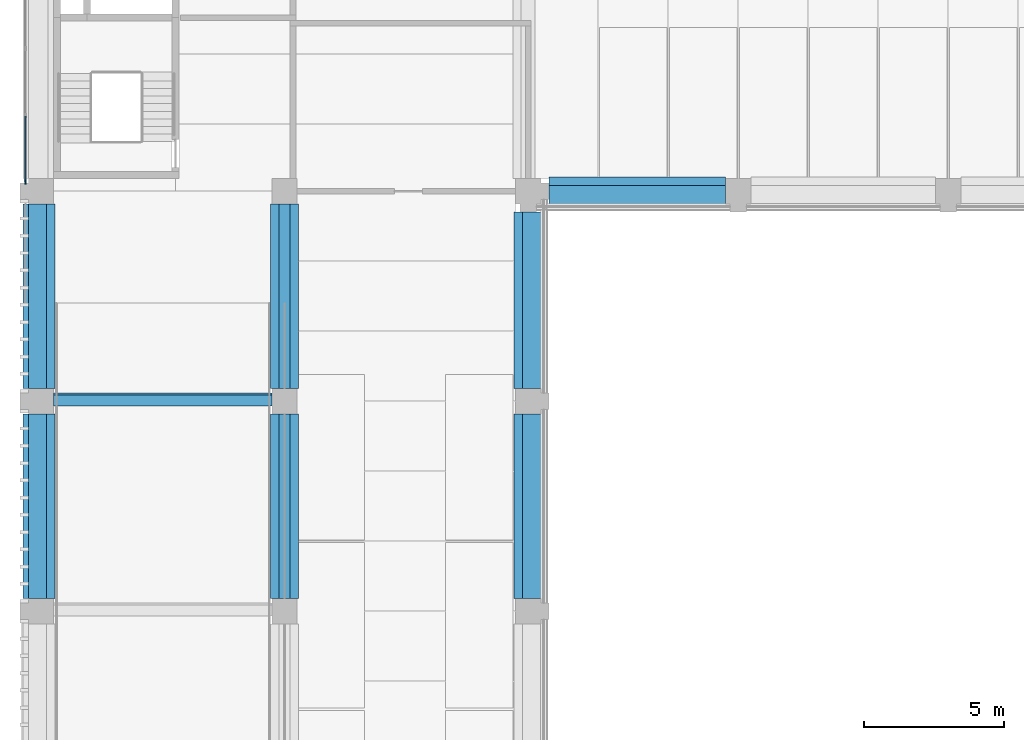
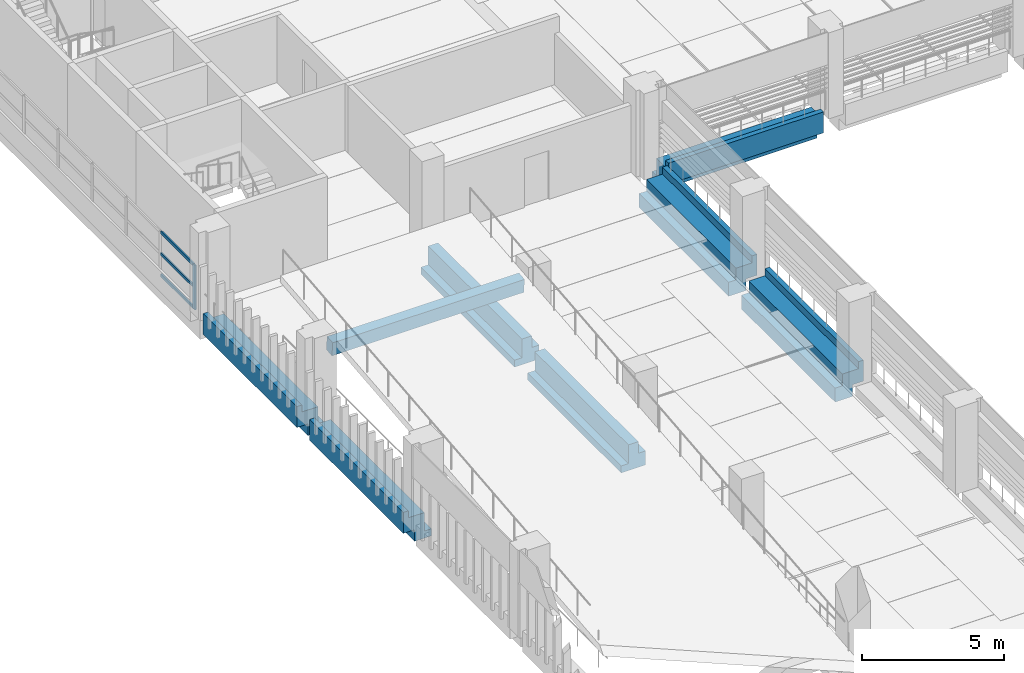
# One storey, part 3 of 57: 8 beams, 4 members, 1 element without a shape of its own.
"""IFC4 building model written with IfcOpenShell, lengths in metres."""

from ifc_helpers import new_model, si_unit, direction, frame, origin, origin_2d, place, context, subcontext, project, spatial, polyline, rectangle, outline, extrude, material, layer, layer_set, material_profile, profile_set, type_object, element, aggregate, save


model = new_model("IFC4")

# Units and contexts
model_context = context("Model", 3, precision=1e-05, world=origin(), true_north=direction((0.0, 1.0)))
body_context = subcontext(model_context, "Body", "Model", "MODEL_VIEW")
ifc_project = project(units=[si_unit("LENGTHUNIT", "METRE"), si_unit("AREAUNIT", "SQUARE_METRE"), si_unit("VOLUMEUNIT", "CUBIC_METRE"), si_unit("PLANEANGLEUNIT", "RADIAN"), si_unit("MASSUNIT", "GRAM", prefix="KILO")], contexts=[model_context])

# Site, building, storey
site_placement = place(None, origin())
site = spatial("IfcSite", under=ifc_project, at=site_placement, CompositionType="ELEMENT")
building_placement = place(site_placement, origin())
building = spatial("IfcBuilding", under=site, at=building_placement, Name="Cour d'Honneur Mobility Palace", CompositionType="ELEMENT")
storey_placement = place(building_placement, frame((0.0, 0.0, 8.199951171875)))
storey = spatial("IfcBuildingStorey", under=building, at=storey_placement, Name="L02", CompositionType="ELEMENT", Elevation=8.199951171875)

# Curtain wall, members
ifc_material_1 = material(Name="Aluminium and glass", Category="aluminium")
ifc_layer = layer(ifc_material_1, 0.10009765625)
ifc_layer_set = layer_set([ifc_layer], Name="Aluminium and glass")
curtain_wall_type = type_object("IfcCurtainWallType", Name="Curtain wall run", PredefinedType="NOTDEFINED", material=ifc_layer_set)
curtain_wall_placement = place(storey_placement, origin())
curtain_wall = element("IfcCurtainWall", 1, at=curtain_wall_placement, inside=storey, type_object=curtain_wall_type, Name="Curtain wall CW-101", PredefinedType="NOTDEFINED")
ifc_material_2 = material(Name="Aluminium", Category="aluminium")
ifc_material_profile_1 = material_profile(ifc_material_2, rectangle(XDim=0.06005859375, YDim=0.159912109375, at=origin_2d()), Name="Curtain wall mullion")
ifc_profile_set_1 = profile_set([ifc_material_profile_1], Name="Aluminium")
member_type_1 = type_object("IfcMemberType", Name="Curtain wall mullion", PredefinedType="MULLION", material=ifc_profile_set_1)
member_1_placement = place(storey_placement, frame((-0.550048828125, 45.330078125, 0.0), z_axis=(0.0, 0.0, 1.0), x_axis=(1.0, 0.0, 0.0)))
member_1 = element("IfcMember", 2, at=member_1_placement, type_object=member_type_1, Name="CW-101 mullion 8", PredefinedType="MULLION", context=body_context, shape_type="SweptSolid", body=[
    extrude(rectangle(XDim=0.06005859375, YDim=0.159912109375, at=origin_2d()), origin(), (0.0, 0.0, 1.0), 1.900146484375),
])
ifc_material_3 = material(Name="Aluminium", Category="aluminium")
ifc_material_profile_2 = material_profile(ifc_material_3, rectangle(XDim=0.06005859375, YDim=0.1201171875, at=origin_2d()), Name="Curtain wall transom")
ifc_profile_set_2 = profile_set([ifc_material_profile_2], Name="Aluminium")
member_type_2 = type_object("IfcMemberType", Name="Curtain wall transom", PredefinedType="USERDEFINED", material=ifc_profile_set_2)
member_2_placement = place(storey_placement, frame((-0.550048828125, 47.669921875, 0.030029296875), z_axis=(0.0, -1.0, 0.0), x_axis=(1.0, 0.0, 0.0)))
member_2 = element("IfcMember", 3, at=member_2_placement, type_object=member_type_2, Name="CW-101 transom 7.1", ObjectType="TRANSOM", PredefinedType="USERDEFINED", context=body_context, shape_type="SweptSolid", body=[
    extrude(rectangle(XDim=0.06005859375, YDim=0.1201171875, at=origin_2d()), origin(), (0.0, 0.0, 1.0), 2.309814453125),
])
member_3_placement = place(storey_placement, frame((-0.550048828125, 47.669921875, 0.949951171875), z_axis=(0.0, -1.0, 0.0), x_axis=(1.0, 0.0, 0.0)))
member_3 = element("IfcMember", 4, at=member_3_placement, type_object=member_type_2, Name="CW-101 transom 7.2", ObjectType="TRANSOM", PredefinedType="USERDEFINED", context=body_context, shape_type="SweptSolid", body=[
    extrude(rectangle(XDim=0.06005859375, YDim=0.1201171875, at=origin_2d()), origin(), (0.0, 0.0, 1.0), 2.309814453125),
])
member_4_placement = place(storey_placement, frame((-0.550048828125, 47.669921875, 1.8701171875), z_axis=(0.0, -1.0, 0.0), x_axis=(1.0, 0.0, 0.0)))
member_4 = element("IfcMember", 5, at=member_4_placement, type_object=member_type_2, Name="CW-101 transom 7.3", ObjectType="TRANSOM", PredefinedType="USERDEFINED", context=body_context, shape_type="SweptSolid", body=[
    extrude(rectangle(XDim=0.06005859375, YDim=0.1201171875, at=origin_2d()), origin(), (0.0, 0.0, 1.0), 2.309814453125),
])
aggregate(curtain_wall, [member_1, member_2, member_3, member_4])

# Beams
ifc_material_4 = material(Name="Concrete C45", Category="concrete")
ifc_material_profile_3 = material_profile(ifc_material_4, outline(polyline([(0.5, -1.10009765625), (0.5, -0.800048828125), (0.199951171875, -0.800048828125), (0.199951171875, 0.0), (-0.199951171875, 0.0), (-0.199951171875, -0.5), (-0.5, -0.5), (-0.5, -1.10009765625), (0.5, -1.10009765625)])), Name="Inverted Tee Beam 400x1100 ledges 300/600 plain")
ifc_profile_set_3 = profile_set([ifc_material_profile_3], Name="Concrete C45")
beam_type_1 = type_object("IfcBeamType", Name="Inverted Tee Beam 400x1100 ledges 300/600 plain", PredefinedType="T_BEAM", material=ifc_profile_set_3)
for number, where, z_axis, x_axis, name in (
    (6, (8.699951171875, 30.449951171875, 0.0), (0.0, 1.0, 0.0), (-1.0, 0.0, 0.0), "Precast beam B11 E-F L02"),
    (7, (8.699951171875, 37.949951171875, 0.0), (0.0, 1.0, 0.0), (-1.0, 0.0, 0.0), "Precast beam B11 F-G L02"),
):
    element("IfcBeam", number, at=place(storey_placement, frame(where, z_axis=z_axis, x_axis=x_axis)), inside=storey, type_object=beam_type_1, Name=name, PredefinedType="T_BEAM", context=body_context, shape_type="SweptSolid", body=[
        extrude(outline(polyline([(0.5, -1.10009765625), (0.5, -0.800048828125), (0.199951171875, -0.800048828125), (0.199951171875, 0.0), (-0.199951171875, 0.0), (-0.199951171875, -0.5), (-0.5, -0.5), (-0.5, -1.10009765625), (0.5, -1.10009765625)])), origin(), (0.0, 0.0, 1.0), 6.60009765625),
    ])
ifc_material_5 = material(Name="Concrete C45", Category="concrete")
ifc_material_profile_4 = material_profile(ifc_material_5, outline(polyline([(0.5, -1.10009765625), (0.5, -0.75), (0.199951171875, -0.75), (0.199951171875, 0.0), (-0.199951171875, 0.0), (-0.449951171875, 0.0), (-0.449951171875, 0.300048828125), (-0.64990234375, 0.300048828125), (-0.64990234375, -0.60009765625), (-0.199951171875, -0.60009765625), (-0.199951171875, -1.10009765625), (0.5, -1.10009765625)])), Name="Ledger Beam 400x1100 ledge left 350 facade right")
ifc_profile_set_4 = profile_set([ifc_material_profile_4], Name="Concrete C45")
beam_type_2 = type_object("IfcBeamType", Name="Ledger Beam 400x1100 ledge left 350 facade right", PredefinedType="BEAM", material=ifc_profile_set_4)
beam_1_placement = place(storey_placement, frame((18.14990234375, 45.0, 0.0), z_axis=(1.0, 0.0, 0.0), x_axis=(0.0, 1.0, 0.0)))
element("IfcBeam", 8, at=beam_1_placement, inside=storey, type_object=beam_type_2, Name="Precast beam B2 2-3 L02", PredefinedType="BEAM", context=body_context, shape_type="SweptSolid", body=[
    extrude(outline(polyline([(0.5, -1.10009765625), (0.5, -0.75), (0.199951171875, -0.75), (0.199951171875, 0.0), (-0.199951171875, 0.0), (-0.449951171875, 0.0), (-0.449951171875, 0.300048828125), (-0.64990234375, 0.300048828125), (-0.64990234375, -0.60009765625), (-0.199951171875, -0.60009765625), (-0.199951171875, -1.10009765625), (0.5, -1.10009765625)])), origin(), (0.0, 0.0, 1.0), 6.300048828125),
])
ifc_material_6 = material(Name="Concrete C45", Category="concrete")
ifc_material_profile_5 = material_profile(ifc_material_6, outline(polyline([(0.5, -1.10009765625), (0.5, -0.5), (0.199951171875, -0.5), (0.199951171875, 0.0), (-0.199951171875, 0.0), (-0.449951171875, 0.0), (-0.449951171875, 0.300048828125), (-0.64990234375, 0.300048828125), (-0.64990234375, -0.60009765625), (-0.199951171875, -0.60009765625), (-0.199951171875, -1.10009765625), (0.5, -1.10009765625)])), Name="Ledger Beam 400x1100 ledge left 600 facade right")
ifc_profile_set_5 = profile_set([ifc_material_profile_5], Name="Concrete C45")
beam_type_3 = type_object("IfcBeamType", Name="Ledger Beam 400x1100 ledge left 600 facade right", PredefinedType="BEAM", material=ifc_profile_set_5)
beam_2_placement = place(storey_placement, frame((17.39990234375, 30.449951171875, 0.0), z_axis=(0.0, 1.0, 0.0), x_axis=(-1.0, 0.0, 0.0)))
element("IfcBeam", 9, at=beam_2_placement, inside=storey, type_object=beam_type_3, Name="Precast beam B12 E-F L02", PredefinedType="BEAM", context=body_context, shape_type="SweptSolid", body=[
    extrude(outline(polyline([(0.5, -1.10009765625), (0.5, -0.5), (0.199951171875, -0.5), (0.199951171875, 0.0), (-0.199951171875, 0.0), (-0.449951171875, 0.0), (-0.449951171875, 0.300048828125), (-0.64990234375, 0.300048828125), (-0.64990234375, -0.60009765625), (-0.199951171875, -0.60009765625), (-0.199951171875, -1.10009765625), (0.5, -1.10009765625)])), origin(), (0.0, 0.0, 1.0), 6.60009765625),
])
beam_3_placement = place(storey_placement, frame((17.39990234375, 37.949951171875, 0.0), z_axis=(0.0, 1.0, 0.0), x_axis=(-1.0, 0.0, 0.0)))
element("IfcBeam", 10, at=beam_3_placement, inside=storey, type_object=beam_type_3, Name="Precast beam B12 F-G L02", PredefinedType="BEAM", context=body_context, shape_type="SweptSolid", body=[
    extrude(outline(polyline([(0.5, -1.10009765625), (0.5, -0.5), (0.199951171875, -0.5), (0.199951171875, 0.0), (-0.199951171875, 0.0), (-0.449951171875, 0.0), (-0.449951171875, 0.300048828125), (-0.64990234375, 0.300048828125), (-0.64990234375, -0.60009765625), (-0.199951171875, -0.60009765625), (-0.199951171875, -1.10009765625), (0.5, -1.10009765625)])), origin(), (0.0, 0.0, 1.0), 6.300048828125),
])
ifc_material_7 = material(Name="Concrete C45", Category="concrete")
ifc_material_profile_6 = material_profile(ifc_material_7, outline(polyline([(0.199951171875, -1.10009765625), (0.199951171875, -0.60009765625), (0.64990234375, -0.60009765625), (0.64990234375, 0.300048828125), (0.449951171875, 0.300048828125), (0.449951171875, 0.0), (0.199951171875, 0.0), (-0.199951171875, 0.0), (-0.199951171875, -0.800048828125), (-0.5, -0.800048828125), (-0.5, -1.10009765625), (0.199951171875, -1.10009765625)])), Name="Ledger Beam 400x1100 ledge right 300 facade left")
ifc_profile_set_6 = profile_set([ifc_material_profile_6], Name="Concrete C45")
beam_type_4 = type_object("IfcBeamType", Name="Ledger Beam 400x1100 ledge right 300 facade left", PredefinedType="BEAM", material=ifc_profile_set_6)
for number, where, z_axis, x_axis, name in (
    (11, (0.0, 30.449951171875, 0.0), (0.0, 1.0, 0.0), (-1.0, 0.0, 0.0), "Precast beam B6 E-F L02"),
    (12, (0.0, 37.949951171875, 0.0), (0.0, 1.0, 0.0), (-1.0, 0.0, 0.0), "Precast beam B6 F-G L02"),
):
    element("IfcBeam", number, at=place(storey_placement, frame(where, z_axis=z_axis, x_axis=x_axis)), inside=storey, type_object=beam_type_4, Name=name, PredefinedType="BEAM", context=body_context, shape_type="SweptSolid", body=[
        extrude(outline(polyline([(0.199951171875, -1.10009765625), (0.199951171875, -0.60009765625), (0.64990234375, -0.60009765625), (0.64990234375, 0.300048828125), (0.449951171875, 0.300048828125), (0.449951171875, 0.0), (0.199951171875, 0.0), (-0.199951171875, 0.0), (-0.199951171875, -0.800048828125), (-0.5, -0.800048828125), (-0.5, -1.10009765625), (0.199951171875, -1.10009765625)])), origin(), (0.0, 0.0, 1.0), 6.60009765625),
    ])
ifc_material_8 = material(Name="Concrete C40", Category="concrete")
ifc_material_profile_7 = material_profile(ifc_material_8, rectangle(XDim=0.39990234375, YDim=0.60009765625, at=origin_2d()), Name="Ramp cross beam 400x600")
ifc_profile_set_7 = profile_set([ifc_material_profile_7], Name="Concrete C40")
beam_type_5 = type_object("IfcBeamType", Name="Ramp cross beam 400x600", PredefinedType="BEAM", material=ifc_profile_set_7)
beam_4_placement = place(storey_placement, frame((0.449951171875, 37.559814453125, 2.7529296875), z_axis=(1.0, 0.0, 0.0), x_axis=(0.0, 0.995037190449, 0.099503716633)))
element("IfcBeam", 13, at=beam_4_placement, inside=storey, type_object=beam_type_5, Name="Ramp cross beam SW.R2-5", PredefinedType="BEAM", context=body_context, shape_type="SweptSolid", body=[
    extrude(rectangle(XDim=0.39990234375, YDim=0.60009765625, at=origin_2d()), origin(), (0.0, 0.0, 1.0), 7.800048828125),
])

save(model, "model.ifc")
